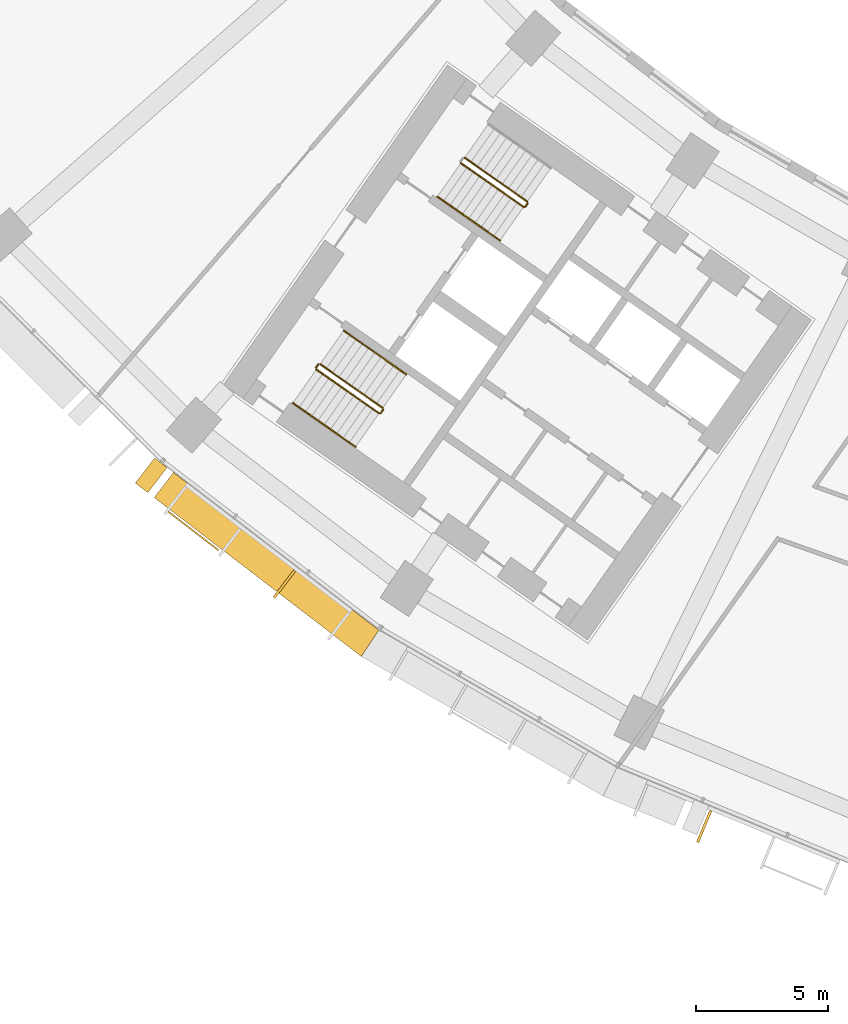
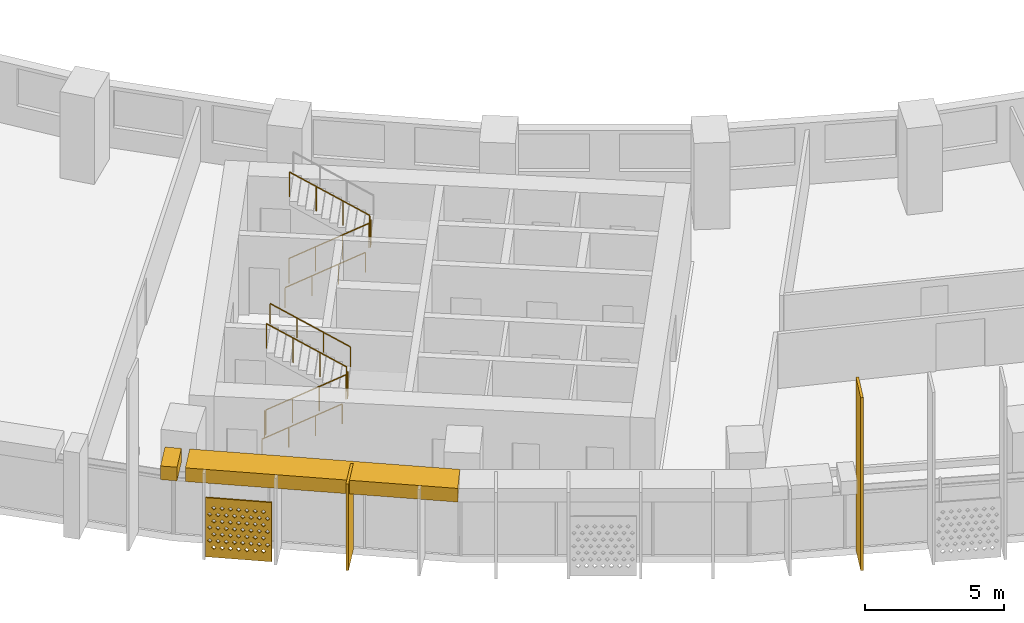
# One storey, part 26 of 33: 8 railings, 5 shading devices.
"""IFC4 building model written with IfcOpenShell, lengths in metres."""

from ifc_helpers import new_model, si_unit, direction, frame, origin, origin_2d, place, context, subcontext, project, spatial, polyline, rectangle, circle, outline, extrude, material, material_profile, profile_set, type_object, element, save


model = new_model("IFC4")

# Units and contexts
model_context = context("Model", 3, precision=1e-05, world=origin(), true_north=direction((0.0, 1.0)))
body_context = subcontext(model_context, "Body", "Model", "MODEL_VIEW")
ifc_project = project(units=[si_unit("LENGTHUNIT", "METRE"), si_unit("AREAUNIT", "SQUARE_METRE"), si_unit("VOLUMEUNIT", "CUBIC_METRE"), si_unit("PLANEANGLEUNIT", "RADIAN"), si_unit("MASSUNIT", "GRAM", prefix="KILO")], contexts=[model_context])

# Site, building, storey
site_placement = place(None, origin())
site = spatial("IfcSite", under=ifc_project, at=site_placement, CompositionType="ELEMENT")
building_placement = place(site_placement, origin())
building = spatial("IfcBuilding", under=site, at=building_placement, Name="Qamariyya Broadcast Tower", CompositionType="ELEMENT")
storey_placement = place(building_placement, frame((0.0, 0.0, 78.5)))
storey = spatial("IfcBuildingStorey", under=building, at=storey_placement, Name="L16", CompositionType="ELEMENT", Elevation=78.5)

# Shading devices
ifc_material_1 = material(Name="Steel S355 powder coated deep red", Category="steel")
shading_device_type_1 = type_object("IfcShadingDeviceType", Name="Deep red frame, powder coated steel box section", PredefinedType="USERDEFINED", material=ifc_material_1)
shading_device_1_placement = place(storey_placement, frame((0.0, 0.0, 3.199951171875)))
element("IfcShadingDevice", 1, at=shading_device_1_placement, inside=storey, type_object=shading_device_type_1, Name="e-frm-B1-F2-posta-L16", ObjectType="FRAME", PredefinedType="USERDEFINED", context=body_context, shape_type="SweptSolid", body=[
    extrude(outline(polyline([(-52.7548828125, -59.701416015625), (-53.4853515625, -60.6533203125), (-53.009521484375, -61.018798828125), (-52.27880859375, -60.066650390625), (-52.7548828125, -59.701416015625)])), origin(), (0.0, 0.0, 1.0), 0.60009765625),
])
shading_device_2_placement = place(storey_placement, frame((0.0, 0.0, 3.199951171875)))
element("IfcShadingDevice", 2, at=shading_device_2_placement, inside=storey, type_object=shading_device_type_1, Name="e-frm-B1-F2-bot0", ObjectType="FRAME", PredefinedType="USERDEFINED", context=body_context, shape_type="SweptSolid", body=[
    extrude(outline(polyline([(-52.040771484375, -60.249267578125), (-52.771484375, -61.201416015625), (-44.919189453125, -67.2265625), (-44.251220703125, -66.2265625), (-52.040771484375, -60.249267578125)])), origin(), (0.0, 0.0, 1.0), 0.60009765625),
])
ifc_material_2 = material(Name="Perforated glazed terracotta", Category="masonry")
ifc_material_profile_1 = material_profile(ifc_material_2, outline(polyline([(-1.199951171875, -1.300048828125), (1.199951171875, -1.300048828125), (1.199951171875, 1.300048828125), (-1.199951171875, 1.300048828125), (-1.199951171875, -1.300048828125)]), holes=[polyline([(-0.81494140625, -0.86669921875), (-0.89990234375, -0.78173828125), (-0.985107421875, -0.86669921875), (-0.89990234375, -0.95166015625), (-0.81494140625, -0.86669921875)]), polyline([(-0.514892578125, -0.86669921875), (-0.60009765625, -0.78173828125), (-0.68505859375, -0.86669921875), (-0.60009765625, -0.95166015625), (-0.514892578125, -0.86669921875)]), polyline([(-0.215087890625, -0.86669921875), (-0.300048828125, -0.78173828125), (-0.385009765625, -0.86669921875), (-0.300048828125, -0.95166015625), (-0.215087890625, -0.86669921875)]), polyline([(0.0849609375, -0.86669921875), (0.0, -0.78173828125), (-0.0849609375, -0.86669921875), (0.0, -0.95166015625), (0.0849609375, -0.86669921875)]), polyline([(0.385009765625, -0.86669921875), (0.300048828125, -0.78173828125), (0.215087890625, -0.86669921875), (0.300048828125, -0.95166015625), (0.385009765625, -0.86669921875)]), polyline([(0.68505859375, -0.86669921875), (0.60009765625, -0.78173828125), (0.514892578125, -0.86669921875), (0.60009765625, -0.95166015625), (0.68505859375, -0.86669921875)]), polyline([(0.985107421875, -0.86669921875), (0.89990234375, -0.78173828125), (0.81494140625, -0.86669921875), (0.89990234375, -0.95166015625), (0.985107421875, -0.86669921875)]), polyline([(-0.965087890625, -0.577880859375), (-1.050048828125, -0.49267578125), (-1.135009765625, -0.577880859375), (-1.050048828125, -0.662841796875), (-0.965087890625, -0.577880859375)]), polyline([(-0.6650390625, -0.577880859375), (-0.75, -0.49267578125), (-0.8349609375, -0.577880859375), (-0.75, -0.662841796875), (-0.6650390625, -0.577880859375)]), polyline([(-0.364990234375, -0.577880859375), (-0.449951171875, -0.49267578125), (-0.534912109375, -0.577880859375), (-0.449951171875, -0.662841796875), (-0.364990234375, -0.577880859375)]), polyline([(-0.06494140625, -0.577880859375), (-0.14990234375, -0.49267578125), (-0.235107421875, -0.577880859375), (-0.14990234375, -0.662841796875), (-0.06494140625, -0.577880859375)]), polyline([(0.235107421875, -0.577880859375), (0.14990234375, -0.49267578125), (0.06494140625, -0.577880859375), (0.14990234375, -0.662841796875), (0.235107421875, -0.577880859375)]), polyline([(0.534912109375, -0.577880859375), (0.449951171875, -0.49267578125), (0.364990234375, -0.577880859375), (0.449951171875, -0.662841796875), (0.534912109375, -0.577880859375)]), polyline([(0.8349609375, -0.577880859375), (0.75, -0.49267578125), (0.6650390625, -0.577880859375), (0.75, -0.662841796875), (0.8349609375, -0.577880859375)]), polyline([(1.135009765625, -0.577880859375), (1.050048828125, -0.49267578125), (0.965087890625, -0.577880859375), (1.050048828125, -0.662841796875), (1.135009765625, -0.577880859375)]), polyline([(-0.81494140625, -0.288818359375), (-0.89990234375, -0.203857421875), (-0.985107421875, -0.288818359375), (-0.89990234375, -0.373779296875), (-0.81494140625, -0.288818359375)]), polyline([(-0.514892578125, -0.288818359375), (-0.60009765625, -0.203857421875), (-0.68505859375, -0.288818359375), (-0.60009765625, -0.373779296875), (-0.514892578125, -0.288818359375)]), polyline([(-0.215087890625, -0.288818359375), (-0.300048828125, -0.203857421875), (-0.385009765625, -0.288818359375), (-0.300048828125, -0.373779296875), (-0.215087890625, -0.288818359375)]), polyline([(0.0849609375, -0.288818359375), (0.0, -0.203857421875), (-0.0849609375, -0.288818359375), (0.0, -0.373779296875), (0.0849609375, -0.288818359375)]), polyline([(0.385009765625, -0.288818359375), (0.300048828125, -0.203857421875), (0.215087890625, -0.288818359375), (0.300048828125, -0.373779296875), (0.385009765625, -0.288818359375)]), polyline([(0.68505859375, -0.288818359375), (0.60009765625, -0.203857421875), (0.514892578125, -0.288818359375), (0.60009765625, -0.373779296875), (0.68505859375, -0.288818359375)]), polyline([(0.985107421875, -0.288818359375), (0.89990234375, -0.203857421875), (0.81494140625, -0.288818359375), (0.89990234375, -0.373779296875), (0.985107421875, -0.288818359375)]), polyline([(-0.965087890625, 0.0), (-1.050048828125, 0.0849609375), (-1.135009765625, 0.0), (-1.050048828125, -0.0849609375), (-0.965087890625, 0.0)]), polyline([(-0.6650390625, 0.0), (-0.75, 0.0849609375), (-0.8349609375, 0.0), (-0.75, -0.0849609375), (-0.6650390625, 0.0)]), polyline([(-0.364990234375, 0.0), (-0.449951171875, 0.0849609375), (-0.534912109375, 0.0), (-0.449951171875, -0.0849609375), (-0.364990234375, 0.0)]), polyline([(-0.06494140625, 0.0), (-0.14990234375, 0.0849609375), (-0.235107421875, 0.0), (-0.14990234375, -0.0849609375), (-0.06494140625, 0.0)]), polyline([(0.235107421875, 0.0), (0.14990234375, 0.0849609375), (0.06494140625, 0.0), (0.14990234375, -0.0849609375), (0.235107421875, 0.0)]), polyline([(0.534912109375, 0.0), (0.449951171875, 0.0849609375), (0.364990234375, 0.0), (0.449951171875, -0.0849609375), (0.534912109375, 0.0)]), polyline([(0.8349609375, 0.0), (0.75, 0.0849609375), (0.6650390625, 0.0), (0.75, -0.0849609375), (0.8349609375, 0.0)]), polyline([(1.135009765625, 0.0), (1.050048828125, 0.0849609375), (0.965087890625, 0.0), (1.050048828125, -0.0849609375), (1.135009765625, 0.0)]), polyline([(-0.81494140625, 0.288818359375), (-0.89990234375, 0.373779296875), (-0.985107421875, 0.288818359375), (-0.89990234375, 0.203857421875), (-0.81494140625, 0.288818359375)]), polyline([(-0.514892578125, 0.288818359375), (-0.60009765625, 0.373779296875), (-0.68505859375, 0.288818359375), (-0.60009765625, 0.203857421875), (-0.514892578125, 0.288818359375)]), polyline([(-0.215087890625, 0.288818359375), (-0.300048828125, 0.373779296875), (-0.385009765625, 0.288818359375), (-0.300048828125, 0.203857421875), (-0.215087890625, 0.288818359375)]), polyline([(0.0849609375, 0.288818359375), (0.0, 0.373779296875), (-0.0849609375, 0.288818359375), (0.0, 0.203857421875), (0.0849609375, 0.288818359375)]), polyline([(0.385009765625, 0.288818359375), (0.300048828125, 0.373779296875), (0.215087890625, 0.288818359375), (0.300048828125, 0.203857421875), (0.385009765625, 0.288818359375)]), polyline([(0.68505859375, 0.288818359375), (0.60009765625, 0.373779296875), (0.514892578125, 0.288818359375), (0.60009765625, 0.203857421875), (0.68505859375, 0.288818359375)]), polyline([(0.985107421875, 0.288818359375), (0.89990234375, 0.373779296875), (0.81494140625, 0.288818359375), (0.89990234375, 0.203857421875), (0.985107421875, 0.288818359375)]), polyline([(-0.965087890625, 0.577880859375), (-1.050048828125, 0.662841796875), (-1.135009765625, 0.577880859375), (-1.050048828125, 0.49267578125), (-0.965087890625, 0.577880859375)]), polyline([(-0.6650390625, 0.577880859375), (-0.75, 0.662841796875), (-0.8349609375, 0.577880859375), (-0.75, 0.49267578125), (-0.6650390625, 0.577880859375)]), polyline([(-0.364990234375, 0.577880859375), (-0.449951171875, 0.662841796875), (-0.534912109375, 0.577880859375), (-0.449951171875, 0.49267578125), (-0.364990234375, 0.577880859375)]), polyline([(-0.06494140625, 0.577880859375), (-0.14990234375, 0.662841796875), (-0.235107421875, 0.577880859375), (-0.14990234375, 0.49267578125), (-0.06494140625, 0.577880859375)]), polyline([(0.235107421875, 0.577880859375), (0.14990234375, 0.662841796875), (0.06494140625, 0.577880859375), (0.14990234375, 0.49267578125), (0.235107421875, 0.577880859375)]), polyline([(0.534912109375, 0.577880859375), (0.449951171875, 0.662841796875), (0.364990234375, 0.577880859375), (0.449951171875, 0.49267578125), (0.534912109375, 0.577880859375)]), polyline([(0.8349609375, 0.577880859375), (0.75, 0.662841796875), (0.6650390625, 0.577880859375), (0.75, 0.49267578125), (0.8349609375, 0.577880859375)]), polyline([(1.135009765625, 0.577880859375), (1.050048828125, 0.662841796875), (0.965087890625, 0.577880859375), (1.050048828125, 0.49267578125), (1.135009765625, 0.577880859375)]), polyline([(-0.81494140625, 0.86669921875), (-0.89990234375, 0.95166015625), (-0.985107421875, 0.86669921875), (-0.89990234375, 0.78173828125), (-0.81494140625, 0.86669921875)]), polyline([(-0.514892578125, 0.86669921875), (-0.60009765625, 0.95166015625), (-0.68505859375, 0.86669921875), (-0.60009765625, 0.78173828125), (-0.514892578125, 0.86669921875)]), polyline([(-0.215087890625, 0.86669921875), (-0.300048828125, 0.95166015625), (-0.385009765625, 0.86669921875), (-0.300048828125, 0.78173828125), (-0.215087890625, 0.86669921875)]), polyline([(0.0849609375, 0.86669921875), (0.0, 0.95166015625), (-0.0849609375, 0.86669921875), (0.0, 0.78173828125), (0.0849609375, 0.86669921875)]), polyline([(0.385009765625, 0.86669921875), (0.300048828125, 0.95166015625), (0.215087890625, 0.86669921875), (0.300048828125, 0.78173828125), (0.385009765625, 0.86669921875)]), polyline([(0.68505859375, 0.86669921875), (0.60009765625, 0.95166015625), (0.514892578125, 0.86669921875), (0.60009765625, 0.78173828125), (0.68505859375, 0.86669921875)]), polyline([(0.985107421875, 0.86669921875), (0.89990234375, 0.95166015625), (0.81494140625, 0.86669921875), (0.89990234375, 0.78173828125), (0.985107421875, 0.86669921875)])]))
ifc_profile_set_1 = profile_set([ifc_material_profile_1], Name="Perforated glazed terracotta")
shading_device_type_2 = type_object("IfcShadingDeviceType", Name="Perforated terracotta screen 2400 x 2600", PredefinedType="USERDEFINED", material=ifc_profile_set_1)
shading_device_3_placement = place(storey_placement, frame((-51.26513671875, -62.4453125, 1.35009765625), z_axis=(-0.60971076085, -0.792623989105, 0.0), x_axis=(0.792623989105, -0.60971076085, 0.0)))
element("IfcShadingDevice", 3, at=shading_device_3_placement, inside=storey, type_object=shading_device_type_2, Name="e-scr-L16-03-0", ObjectType="SCREEN", PredefinedType="USERDEFINED", context=body_context, shape_type="SweptSolid", body=[
    extrude(outline(polyline([(-1.199951171875, -1.300048828125), (1.199951171875, -1.300048828125), (1.199951171875, 1.300048828125), (-1.199951171875, 1.300048828125), (-1.199951171875, -1.300048828125)]), holes=[polyline([(-0.81494140625, -0.86669921875), (-0.89990234375, -0.78173828125), (-0.985107421875, -0.86669921875), (-0.89990234375, -0.95166015625), (-0.81494140625, -0.86669921875)]), polyline([(-0.514892578125, -0.86669921875), (-0.60009765625, -0.78173828125), (-0.68505859375, -0.86669921875), (-0.60009765625, -0.95166015625), (-0.514892578125, -0.86669921875)]), polyline([(-0.215087890625, -0.86669921875), (-0.300048828125, -0.78173828125), (-0.385009765625, -0.86669921875), (-0.300048828125, -0.95166015625), (-0.215087890625, -0.86669921875)]), polyline([(0.0849609375, -0.86669921875), (0.0, -0.78173828125), (-0.0849609375, -0.86669921875), (0.0, -0.95166015625), (0.0849609375, -0.86669921875)]), polyline([(0.385009765625, -0.86669921875), (0.300048828125, -0.78173828125), (0.215087890625, -0.86669921875), (0.300048828125, -0.95166015625), (0.385009765625, -0.86669921875)]), polyline([(0.68505859375, -0.86669921875), (0.60009765625, -0.78173828125), (0.514892578125, -0.86669921875), (0.60009765625, -0.95166015625), (0.68505859375, -0.86669921875)]), polyline([(0.985107421875, -0.86669921875), (0.89990234375, -0.78173828125), (0.81494140625, -0.86669921875), (0.89990234375, -0.95166015625), (0.985107421875, -0.86669921875)]), polyline([(-0.965087890625, -0.577880859375), (-1.050048828125, -0.49267578125), (-1.135009765625, -0.577880859375), (-1.050048828125, -0.662841796875), (-0.965087890625, -0.577880859375)]), polyline([(-0.6650390625, -0.577880859375), (-0.75, -0.49267578125), (-0.8349609375, -0.577880859375), (-0.75, -0.662841796875), (-0.6650390625, -0.577880859375)]), polyline([(-0.364990234375, -0.577880859375), (-0.449951171875, -0.49267578125), (-0.534912109375, -0.577880859375), (-0.449951171875, -0.662841796875), (-0.364990234375, -0.577880859375)]), polyline([(-0.06494140625, -0.577880859375), (-0.14990234375, -0.49267578125), (-0.235107421875, -0.577880859375), (-0.14990234375, -0.662841796875), (-0.06494140625, -0.577880859375)]), polyline([(0.235107421875, -0.577880859375), (0.14990234375, -0.49267578125), (0.06494140625, -0.577880859375), (0.14990234375, -0.662841796875), (0.235107421875, -0.577880859375)]), polyline([(0.534912109375, -0.577880859375), (0.449951171875, -0.49267578125), (0.364990234375, -0.577880859375), (0.449951171875, -0.662841796875), (0.534912109375, -0.577880859375)]), polyline([(0.8349609375, -0.577880859375), (0.75, -0.49267578125), (0.6650390625, -0.577880859375), (0.75, -0.662841796875), (0.8349609375, -0.577880859375)]), polyline([(1.135009765625, -0.577880859375), (1.050048828125, -0.49267578125), (0.965087890625, -0.577880859375), (1.050048828125, -0.662841796875), (1.135009765625, -0.577880859375)]), polyline([(-0.81494140625, -0.288818359375), (-0.89990234375, -0.203857421875), (-0.985107421875, -0.288818359375), (-0.89990234375, -0.373779296875), (-0.81494140625, -0.288818359375)]), polyline([(-0.514892578125, -0.288818359375), (-0.60009765625, -0.203857421875), (-0.68505859375, -0.288818359375), (-0.60009765625, -0.373779296875), (-0.514892578125, -0.288818359375)]), polyline([(-0.215087890625, -0.288818359375), (-0.300048828125, -0.203857421875), (-0.385009765625, -0.288818359375), (-0.300048828125, -0.373779296875), (-0.215087890625, -0.288818359375)]), polyline([(0.0849609375, -0.288818359375), (0.0, -0.203857421875), (-0.0849609375, -0.288818359375), (0.0, -0.373779296875), (0.0849609375, -0.288818359375)]), polyline([(0.385009765625, -0.288818359375), (0.300048828125, -0.203857421875), (0.215087890625, -0.288818359375), (0.300048828125, -0.373779296875), (0.385009765625, -0.288818359375)]), polyline([(0.68505859375, -0.288818359375), (0.60009765625, -0.203857421875), (0.514892578125, -0.288818359375), (0.60009765625, -0.373779296875), (0.68505859375, -0.288818359375)]), polyline([(0.985107421875, -0.288818359375), (0.89990234375, -0.203857421875), (0.81494140625, -0.288818359375), (0.89990234375, -0.373779296875), (0.985107421875, -0.288818359375)]), polyline([(-0.965087890625, 0.0), (-1.050048828125, 0.0849609375), (-1.135009765625, 0.0), (-1.050048828125, -0.0849609375), (-0.965087890625, 0.0)]), polyline([(-0.6650390625, 0.0), (-0.75, 0.0849609375), (-0.8349609375, 0.0), (-0.75, -0.0849609375), (-0.6650390625, 0.0)]), polyline([(-0.364990234375, 0.0), (-0.449951171875, 0.0849609375), (-0.534912109375, 0.0), (-0.449951171875, -0.0849609375), (-0.364990234375, 0.0)]), polyline([(-0.06494140625, 0.0), (-0.14990234375, 0.0849609375), (-0.235107421875, 0.0), (-0.14990234375, -0.0849609375), (-0.06494140625, 0.0)]), polyline([(0.235107421875, 0.0), (0.14990234375, 0.0849609375), (0.06494140625, 0.0), (0.14990234375, -0.0849609375), (0.235107421875, 0.0)]), polyline([(0.534912109375, 0.0), (0.449951171875, 0.0849609375), (0.364990234375, 0.0), (0.449951171875, -0.0849609375), (0.534912109375, 0.0)]), polyline([(0.8349609375, 0.0), (0.75, 0.0849609375), (0.6650390625, 0.0), (0.75, -0.0849609375), (0.8349609375, 0.0)]), polyline([(1.135009765625, 0.0), (1.050048828125, 0.0849609375), (0.965087890625, 0.0), (1.050048828125, -0.0849609375), (1.135009765625, 0.0)]), polyline([(-0.81494140625, 0.288818359375), (-0.89990234375, 0.373779296875), (-0.985107421875, 0.288818359375), (-0.89990234375, 0.203857421875), (-0.81494140625, 0.288818359375)]), polyline([(-0.514892578125, 0.288818359375), (-0.60009765625, 0.373779296875), (-0.68505859375, 0.288818359375), (-0.60009765625, 0.203857421875), (-0.514892578125, 0.288818359375)]), polyline([(-0.215087890625, 0.288818359375), (-0.300048828125, 0.373779296875), (-0.385009765625, 0.288818359375), (-0.300048828125, 0.203857421875), (-0.215087890625, 0.288818359375)]), polyline([(0.0849609375, 0.288818359375), (0.0, 0.373779296875), (-0.0849609375, 0.288818359375), (0.0, 0.203857421875), (0.0849609375, 0.288818359375)]), polyline([(0.385009765625, 0.288818359375), (0.300048828125, 0.373779296875), (0.215087890625, 0.288818359375), (0.300048828125, 0.203857421875), (0.385009765625, 0.288818359375)]), polyline([(0.68505859375, 0.288818359375), (0.60009765625, 0.373779296875), (0.514892578125, 0.288818359375), (0.60009765625, 0.203857421875), (0.68505859375, 0.288818359375)]), polyline([(0.985107421875, 0.288818359375), (0.89990234375, 0.373779296875), (0.81494140625, 0.288818359375), (0.89990234375, 0.203857421875), (0.985107421875, 0.288818359375)]), polyline([(-0.965087890625, 0.577880859375), (-1.050048828125, 0.662841796875), (-1.135009765625, 0.577880859375), (-1.050048828125, 0.49267578125), (-0.965087890625, 0.577880859375)]), polyline([(-0.6650390625, 0.577880859375), (-0.75, 0.662841796875), (-0.8349609375, 0.577880859375), (-0.75, 0.49267578125), (-0.6650390625, 0.577880859375)]), polyline([(-0.364990234375, 0.577880859375), (-0.449951171875, 0.662841796875), (-0.534912109375, 0.577880859375), (-0.449951171875, 0.49267578125), (-0.364990234375, 0.577880859375)]), polyline([(-0.06494140625, 0.577880859375), (-0.14990234375, 0.662841796875), (-0.235107421875, 0.577880859375), (-0.14990234375, 0.49267578125), (-0.06494140625, 0.577880859375)]), polyline([(0.235107421875, 0.577880859375), (0.14990234375, 0.662841796875), (0.06494140625, 0.577880859375), (0.14990234375, 0.49267578125), (0.235107421875, 0.577880859375)]), polyline([(0.534912109375, 0.577880859375), (0.449951171875, 0.662841796875), (0.364990234375, 0.577880859375), (0.449951171875, 0.49267578125), (0.534912109375, 0.577880859375)]), polyline([(0.8349609375, 0.577880859375), (0.75, 0.662841796875), (0.6650390625, 0.577880859375), (0.75, 0.49267578125), (0.8349609375, 0.577880859375)]), polyline([(1.135009765625, 0.577880859375), (1.050048828125, 0.662841796875), (0.965087890625, 0.577880859375), (1.050048828125, 0.49267578125), (1.135009765625, 0.577880859375)]), polyline([(-0.81494140625, 0.86669921875), (-0.89990234375, 0.95166015625), (-0.985107421875, 0.86669921875), (-0.89990234375, 0.78173828125), (-0.81494140625, 0.86669921875)]), polyline([(-0.514892578125, 0.86669921875), (-0.60009765625, 0.95166015625), (-0.68505859375, 0.86669921875), (-0.60009765625, 0.78173828125), (-0.514892578125, 0.86669921875)]), polyline([(-0.215087890625, 0.86669921875), (-0.300048828125, 0.95166015625), (-0.385009765625, 0.86669921875), (-0.300048828125, 0.78173828125), (-0.215087890625, 0.86669921875)]), polyline([(0.0849609375, 0.86669921875), (0.0, 0.95166015625), (-0.0849609375, 0.86669921875), (0.0, 0.78173828125), (0.0849609375, 0.86669921875)]), polyline([(0.385009765625, 0.86669921875), (0.300048828125, 0.95166015625), (0.215087890625, 0.86669921875), (0.300048828125, 0.78173828125), (0.385009765625, 0.86669921875)]), polyline([(0.68505859375, 0.86669921875), (0.60009765625, 0.95166015625), (0.514892578125, 0.86669921875), (0.60009765625, 0.78173828125), (0.68505859375, 0.86669921875)]), polyline([(0.985107421875, 0.86669921875), (0.89990234375, 0.95166015625), (0.81494140625, 0.86669921875), (0.89990234375, 0.78173828125), (0.985107421875, 0.86669921875)])]), origin(), (0.0, 0.0, 1.0), 0.06005859375),
])

# Railings
ifc_material_3 = material(Name="Painted steel", Category="steel")
railing_type_1 = type_object("IfcRailingType", Name="Stair guard", PredefinedType="GUARDRAIL", material=ifc_material_3)
railing_1_placement = place(storey_placement, frame((-41.146728515625, -48.52490234375, 0.172607421875)))
element("IfcRailing", 4, at=railing_1_placement, inside=storey, type_object=railing_type_1, Name="L16 ST-W2 stair guard 1", PredefinedType="GUARDRAIL", context=body_context, shape_type="SweptSolid", body=[
    extrude(circle(Radius=0.02392578125, at=origin_2d()), frame((0.0, 0.0, 1.076171875), z_axis=(0.703770094002, -0.492783725636, 0.511734163933), x_axis=(0.573575343427, 0.819152809562, 0.0)), (0.0, 0.0, 1.0), 3.37548828125),
    extrude(circle(Radius=0.02392578125, at=origin_2d()), frame((2.37548828125, -1.663330078125, 2.80322265625), z_axis=(0.985059694769, 0.172213233351, 0.0), x_axis=(-0.172213233351, 0.985059694769, 0.0)), (0.0, 0.0, 1.0), 0.07080078125),
    extrude(circle(Radius=0.02392578125, at=origin_2d()), frame((2.4453125, -1.651123046875, 2.80322265625), z_axis=(0.572588637393, 0.819842821722, 0.0), x_axis=(-0.819842821722, 0.572588637393, 0.0)), (0.0, 0.0, 1.0), 0.150146484375),
    extrude(circle(Radius=0.02099609375, at=origin_2d()), origin(), (0.0, 0.0, 1.0), 1.052001953125),
    extrude(circle(Radius=0.02099609375, at=origin_2d()), frame((0.791748046875, -0.554443359375, 0.57568359375)), (0.0, 0.0, 1.0), 1.052001953125),
    extrude(circle(Radius=0.02099609375, at=origin_2d()), frame((1.583740234375, -1.10888671875, 1.151611328125)), (0.0, 0.0, 1.0), 1.052001953125),
    extrude(circle(Radius=0.02099609375, at=origin_2d()), frame((2.37548828125, -1.663330078125, 1.727294921875)), (0.0, 0.0, 1.0), 1.052001953125),
    extrude(circle(Radius=0.02099609375, at=origin_2d()), frame((2.4453125, -1.651123046875, 1.727294921875)), (0.0, 0.0, 1.0), 1.052001953125),
    extrude(circle(Radius=0.02099609375, at=origin_2d()), frame((2.53125, -1.528076171875, 1.727294921875)), (0.0, 0.0, 1.0), 1.052001953125),
])
railing_2_placement = place(storey_placement, frame((-38.627685546875, -49.9833984375, 2.07275390625)))
element("IfcRailing", 5, at=railing_2_placement, inside=storey, type_object=railing_type_1, Name="L16 ST-W2 stair guard 2", PredefinedType="GUARDRAIL", context=body_context, shape_type="SweptSolid", body=[
    extrude(circle(Radius=0.02392578125, at=origin_2d()), frame((0.0, 0.0, 1.076171875), z_axis=(-0.703770094002, 0.492783725636, 0.511734163933), x_axis=(-0.573575343427, -0.819152809562, 0.0)), (0.0, 0.0, 1.0), 3.37548828125),
    extrude(circle(Radius=0.02099609375, at=origin_2d()), origin(), (0.0, 0.0, 1.0), 1.052001953125),
    extrude(circle(Radius=0.02099609375, at=origin_2d()), frame((-0.791748046875, 0.554443359375, 0.57568359375)), (0.0, 0.0, 1.0), 1.052001953125),
    extrude(circle(Radius=0.02099609375, at=origin_2d()), frame((-1.583740234375, 1.10888671875, 1.151611328125)), (0.0, 0.0, 1.0), 1.052001953125),
    extrude(circle(Radius=0.02099609375, at=origin_2d()), frame((-2.37548828125, 1.663330078125, 1.727294921875)), (0.0, 0.0, 1.0), 1.052001953125),
])
railing_3_placement = place(storey_placement, frame((-46.624267578125, -56.34765625, 0.172607421875)))
element("IfcRailing", 6, at=railing_3_placement, inside=storey, type_object=railing_type_1, Name="L16 ST-W1 stair guard 1", PredefinedType="GUARDRAIL", context=body_context, shape_type="SweptSolid", body=[
    extrude(circle(Radius=0.02392578125, at=origin_2d()), frame((0.0, 0.0, 1.076171875), z_axis=(0.703745009021, -0.492838488332, 0.511715923826), x_axis=(0.573631830683, 0.819113253969, 0.0)), (0.0, 0.0, 1.0), 3.37548828125),
    extrude(circle(Radius=0.02392578125, at=origin_2d()), frame((2.37548828125, -1.66357421875, 2.80322265625), z_axis=(0.984363469884, 0.176149252506, 0.0), x_axis=(-0.176149252506, 0.984363469884, 0.0)), (0.0, 0.0, 1.0), 0.07080078125),
    extrude(circle(Radius=0.02392578125, at=origin_2d()), frame((2.445068359375, -1.651123046875, 2.80322265625), z_axis=(0.574444878118, 0.818543268254, 0.0), x_axis=(-0.818543268254, 0.574444878118, 0.0)), (0.0, 0.0, 1.0), 0.150146484375),
    extrude(circle(Radius=0.02099609375, at=origin_2d()), origin(), (0.0, 0.0, 1.0), 1.052001953125),
    extrude(circle(Radius=0.02099609375, at=origin_2d()), frame((0.791748046875, -0.554443359375, 0.57568359375)), (0.0, 0.0, 1.0), 1.052001953125),
    extrude(circle(Radius=0.02099609375, at=origin_2d()), frame((1.583740234375, -1.109130859375, 1.151611328125)), (0.0, 0.0, 1.0), 1.052001953125),
    extrude(circle(Radius=0.02099609375, at=origin_2d()), frame((2.37548828125, -1.66357421875, 1.727294921875)), (0.0, 0.0, 1.0), 1.052001953125),
    extrude(circle(Radius=0.02099609375, at=origin_2d()), frame((2.445068359375, -1.651123046875, 1.727294921875)), (0.0, 0.0, 1.0), 1.052001953125),
    extrude(circle(Radius=0.02099609375, at=origin_2d()), frame((2.53125, -1.5283203125, 1.727294921875)), (0.0, 0.0, 1.0), 1.052001953125),
])
railing_4_placement = place(storey_placement, frame((-44.10546875, -57.806396484375, 2.07275390625)))
element("IfcRailing", 7, at=railing_4_placement, inside=storey, type_object=railing_type_1, Name="L16 ST-W1 stair guard 2", PredefinedType="GUARDRAIL", context=body_context, shape_type="SweptSolid", body=[
    extrude(circle(Radius=0.02392578125, at=origin_2d()), frame((0.0, 0.0, 1.076171875), z_axis=(-0.703770094002, 0.492783725636, 0.511734163933), x_axis=(-0.573575343427, -0.819152809562, 0.0)), (0.0, 0.0, 1.0), 3.37548828125),
    extrude(circle(Radius=0.02099609375, at=origin_2d()), origin(), (0.0, 0.0, 1.0), 1.052001953125),
    extrude(circle(Radius=0.02099609375, at=origin_2d()), frame((-0.791748046875, 0.554443359375, 0.57568359375)), (0.0, 0.0, 1.0), 1.052001953125),
    extrude(circle(Radius=0.02099609375, at=origin_2d()), frame((-1.583740234375, 1.10888671875, 1.151611328125)), (0.0, 0.0, 1.0), 1.052001953125),
    extrude(circle(Radius=0.02099609375, at=origin_2d()), frame((-2.37548828125, 1.663330078125, 1.727294921875)), (0.0, 0.0, 1.0), 1.052001953125),
])
railing_5_placement = place(storey_placement, frame((-46.63671875, -56.278076171875, 0.0)))
element("IfcRailing", 8, at=railing_5_placement, inside=storey, type_object=railing_type_1, Name="L16 ST-W1 stair guard 3", PredefinedType="GUARDRAIL", context=body_context, shape_type="SweptSolid", body=[
    extrude(circle(Radius=0.02392578125, at=origin_2d()), frame((0.0, 0.0, 1.076171875), z_axis=(0.574444878118, 0.818543268254, 0.0), x_axis=(-0.818543268254, 0.574444878118, 0.0)), (0.0, 0.0, 1.0), 0.150146484375),
    extrude(circle(Radius=0.02099609375, at=origin_2d()), origin(), (0.0, 0.0, 1.0), 1.052001953125),
    extrude(circle(Radius=0.02099609375, at=origin_2d()), frame((0.086181640625, 0.122802734375, 0.0)), (0.0, 0.0, 1.0), 1.052001953125),
])
ifc_material_4 = material(Name="Stainless steel", Category="steel")
railing_type_2 = type_object("IfcRailingType", Name="Stair handrail", PredefinedType="HANDRAIL", material=ifc_material_4)
railing_6_placement = place(storey_placement, frame((-42.03564453125, -49.79443359375, 0.172607421875)))
element("IfcRailing", 9, at=railing_6_placement, inside=storey, type_object=railing_type_2, Name="L16 ST-W2 stair handrail 1", PredefinedType="HANDRAIL", context=body_context, shape_type="SweptSolid", body=[
    extrude(circle(Radius=0.02392578125, at=origin_2d()), frame((0.0, 0.0, 0.8759765625), z_axis=(0.703745009021, -0.492838488332, 0.511715923826), x_axis=(0.573631830683, 0.819113253969, 0.0)), (0.0, 0.0, 1.0), 3.37548828125),
    extrude(circle(Radius=0.02099609375, at=origin_2d()), origin(), (0.0, 0.0, 1.0), 0.851806640625),
    extrude(circle(Radius=0.02099609375, at=origin_2d()), frame((0.791748046875, -0.554443359375, 0.57568359375)), (0.0, 0.0, 1.0), 0.851806640625),
    extrude(circle(Radius=0.02099609375, at=origin_2d()), frame((1.583740234375, -1.109130859375, 1.151611328125)), (0.0, 0.0, 1.0), 0.851806640625),
    extrude(circle(Radius=0.02099609375, at=origin_2d()), frame((2.37548828125, -1.66357421875, 1.727294921875)), (0.0, 0.0, 1.0), 0.851806640625),
])
railing_7_placement = place(storey_placement, frame((-47.513427734375, -57.617431640625, 0.172607421875)))
element("IfcRailing", 10, at=railing_7_placement, inside=storey, type_object=railing_type_2, Name="L16 ST-W1 stair handrail 1", PredefinedType="HANDRAIL", context=body_context, shape_type="SweptSolid", body=[
    extrude(circle(Radius=0.02392578125, at=origin_2d()), frame((0.0, 0.0, 0.8759765625), z_axis=(0.703770094002, -0.492783725636, 0.511734163933), x_axis=(0.573575343427, 0.819152809562, 0.0)), (0.0, 0.0, 1.0), 3.37548828125),
    extrude(circle(Radius=0.02099609375, at=origin_2d()), origin(), (0.0, 0.0, 1.0), 0.851806640625),
    extrude(circle(Radius=0.02099609375, at=origin_2d()), frame((0.791748046875, -0.554443359375, 0.57568359375)), (0.0, 0.0, 1.0), 0.851806640625),
    extrude(circle(Radius=0.02099609375, at=origin_2d()), frame((1.583740234375, -1.10888671875, 1.151611328125)), (0.0, 0.0, 1.0), 0.851806640625),
    extrude(circle(Radius=0.02099609375, at=origin_2d()), frame((2.37548828125, -1.663330078125, 1.727294921875)), (0.0, 0.0, 1.0), 0.851806640625),
])
railing_8_placement = place(storey_placement, frame((-43.21630859375, -56.53662109375, 2.07275390625)))
element("IfcRailing", 11, at=railing_8_placement, inside=storey, type_object=railing_type_2, Name="L16 ST-W1 stair handrail 2", PredefinedType="HANDRAIL", context=body_context, shape_type="SweptSolid", body=[
    extrude(circle(Radius=0.02392578125, at=origin_2d()), frame((0.0, 0.0, 0.8759765625), z_axis=(-0.703770094002, 0.492783725636, 0.511734163933), x_axis=(-0.573575343427, -0.819152809562, 0.0)), (0.0, 0.0, 1.0), 3.37548828125),
    extrude(circle(Radius=0.02099609375, at=origin_2d()), origin(), (0.0, 0.0, 1.0), 0.851806640625),
    extrude(circle(Radius=0.02099609375, at=origin_2d()), frame((-0.791748046875, 0.554443359375, 0.57568359375)), (0.0, 0.0, 1.0), 0.851806640625),
    extrude(circle(Radius=0.02099609375, at=origin_2d()), frame((-1.583740234375, 1.10888671875, 1.151611328125)), (0.0, 0.0, 1.0), 0.851806640625),
    extrude(circle(Radius=0.02099609375, at=origin_2d()), frame((-2.37548828125, 1.663330078125, 1.727294921875)), (0.0, 0.0, 1.0), 0.851806640625),
])

# Shading devices
ifc_material_5 = material(Name="Glazed terracotta", Category="masonry")
ifc_material_profile_2 = material_profile(ifc_material_5, rectangle(XDim=1.300048828125, YDim=0.10009765625, at=origin_2d()))
ifc_profile_set_2 = profile_set([ifc_material_profile_2], Name="Glazed terracotta")
shading_device_type_3 = type_object("IfcShadingDeviceType", Name="Terracotta fin 100 x 1300", PredefinedType="USERDEFINED", material=ifc_profile_set_2)
shading_device_4_placement = place(storey_placement, frame((-47.837890625, -64.48291015625, 0.0), z_axis=(0.0, 0.0, 1.0), x_axis=(-0.608761429009, -0.793353340291, 0.0)))
element("IfcShadingDevice", 12, at=shading_device_4_placement, inside=storey, type_object=shading_device_type_3, Name="e-fin-L16-03-2", ObjectType="FIN", PredefinedType="USERDEFINED", context=body_context, shape_type="SweptSolid", body=[
    extrude(rectangle(XDim=1.300048828125, YDim=0.10009765625, at=origin_2d()), origin(), (0.0, 0.0, 1.0), 3.800048828125),
])
shading_device_5_placement = place(storey_placement, frame((-31.9248046875, -73.670166015625, 0.0), z_axis=(0.0, 0.0, 1.0), x_axis=(-0.382683432365, -0.923879532511, 0.0)))
element("IfcShadingDevice", 13, at=shading_device_5_placement, inside=storey, type_object=shading_device_type_3, Name="e-fin-L16-05-1", ObjectType="FIN", PredefinedType="USERDEFINED", context=body_context, shape_type="SweptSolid", body=[
    extrude(rectangle(XDim=1.300048828125, YDim=0.10009765625, at=origin_2d()), origin(), (0.0, 0.0, 1.0), 7.60009765625),
])

save(model, "model.ifc")
